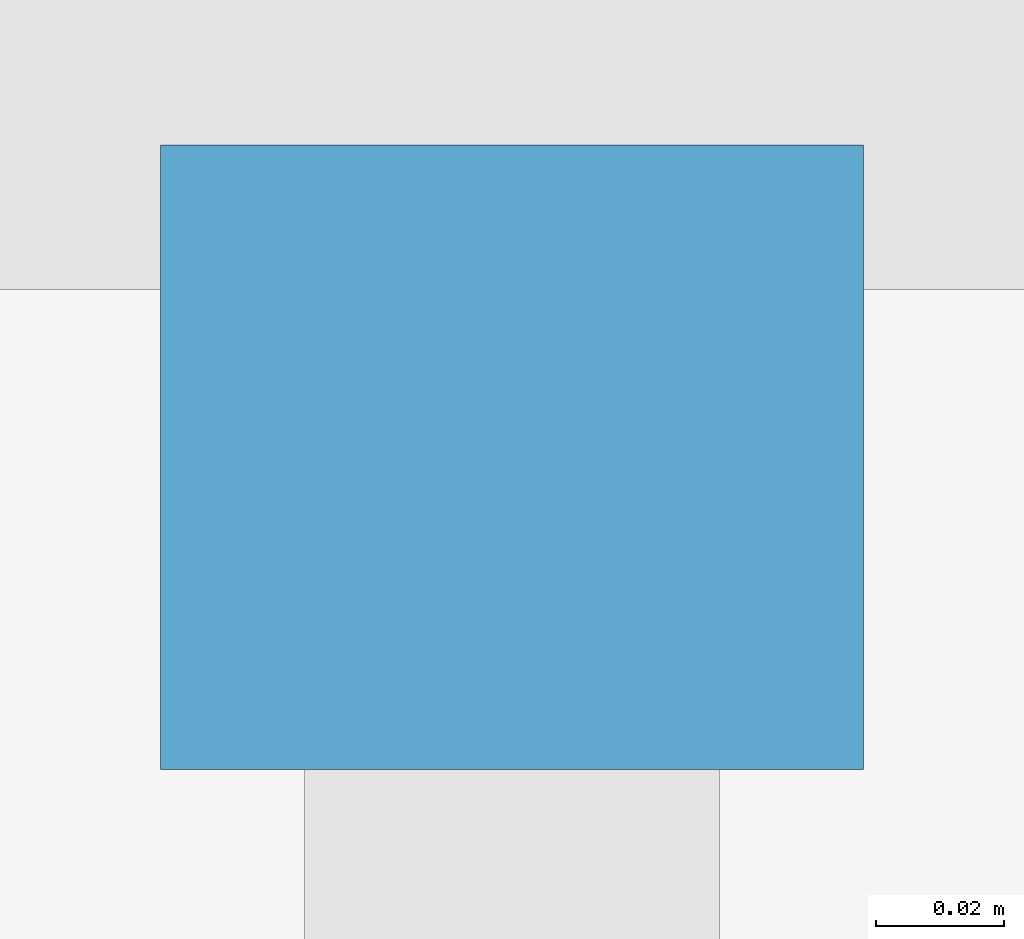
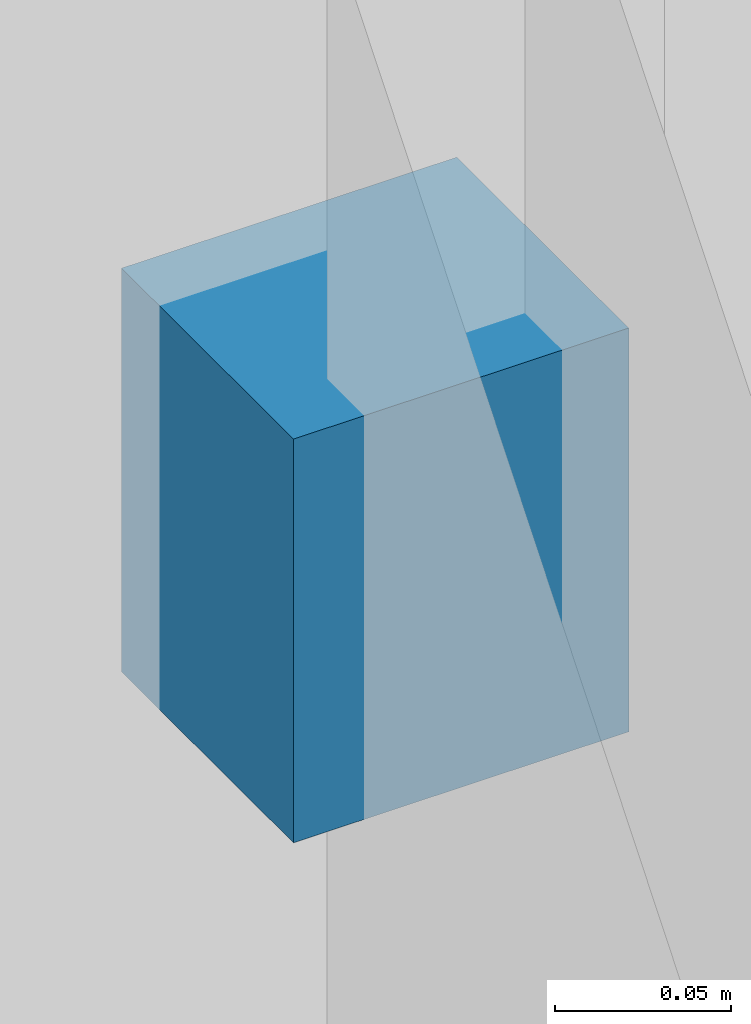
# One storey, part 16 of 26: 1 discrete accessory.
"""IFC4 building model written with IfcOpenShell, lengths in metres."""

from ifc_helpers import new_model, si_unit, direction, frame, origin, place, context, subcontext, project, spatial, polyline, outline, extrude, material, type_object, element, save


model = new_model("IFC4")

# Units and contexts
model_context = context("Model", 3, precision=1e-05, world=origin(), true_north=direction((0.0, 1.0)))
body_context = subcontext(model_context, "Body", "Model", "MODEL_VIEW")
ifc_project = project(units=[si_unit("LENGTHUNIT", "METRE"), si_unit("AREAUNIT", "SQUARE_METRE"), si_unit("VOLUMEUNIT", "CUBIC_METRE"), si_unit("PLANEANGLEUNIT", "RADIAN"), si_unit("MASSUNIT", "GRAM", prefix="KILO")], contexts=[model_context])

# Site, building, storey
site_placement = place(None, origin())
site = spatial("IfcSite", under=ifc_project, at=site_placement, CompositionType="ELEMENT")
building_placement = place(site_placement, origin())
building = spatial("IfcBuilding", under=site, at=building_placement, Name="Qalmaran Belvedere Hotel", CompositionType="ELEMENT")
storey_placement = place(building_placement, frame((0.0, 0.0, 19.199951171875)))
storey = spatial("IfcBuildingStorey", under=building, at=storey_placement, Name="L04", CompositionType="ELEMENT", Elevation=19.199951171875)

# Discrete accessory
ifc_material = material(Name="Stainless Steel 1.4401", Category="steel")
discrete_accessory_type = type_object("IfcDiscreteAccessoryType", Name="BRK-FIN-SS316", PredefinedType="BRACKET", material=ifc_material)
discrete_accessory_placement = place(storey_placement, frame((0.0, 0.0, 2.10009765625)))
element("IfcDiscreteAccessory", 1, at=discrete_accessory_placement, inside=storey, type_object=discrete_accessory_type, Name="L04 Fin Bracket 5", PredefinedType="BRACKET", context=body_context, shape_type="SweptSolid", body=[
    extrude(outline(polyline([(50.136474609375, 1.705078125), (50.136474609375, 1.607421875), (50.246337890625, 1.607421875), (50.246337890625, 1.705078125), (50.136474609375, 1.705078125)])), origin(), (0.0, 0.0, 1.0), 0.139892578125),
])

save(model, "model.ifc")
